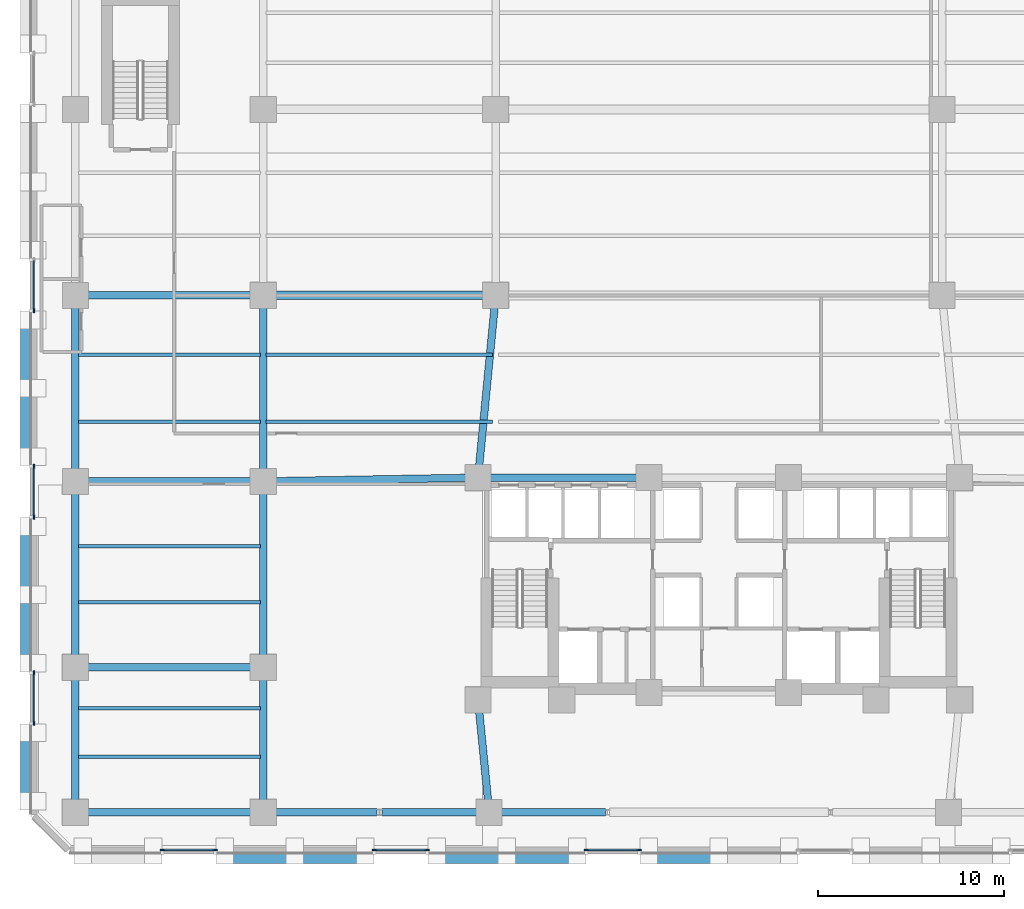
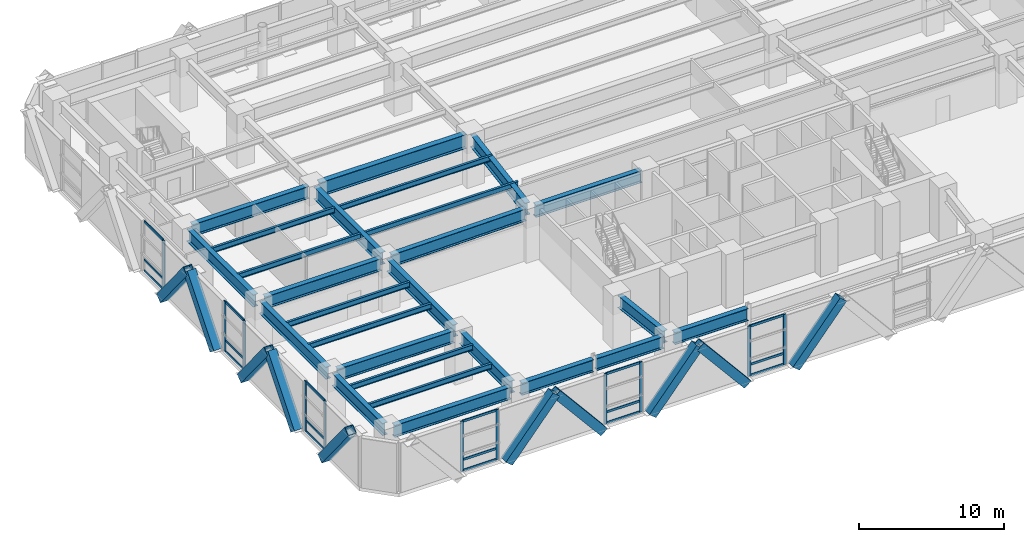
# One storey, part 6 of 26: 39 members, 26 beams, 6 elements without a shape of their own.
"""IFC4 building model written with IfcOpenShell, lengths in metres."""

from ifc_helpers import new_model, si_unit, direction, frame, origin, origin_2d, place, context, subcontext, project, spatial, rectangle, hollow_rectangle, i_section, extrude, material, material_profile, profile_set, type_object, element, aggregate, save


model = new_model("IFC4")

# Units and contexts
model_context = context("Model", 3, precision=1e-05, world=origin(), true_north=direction((0.0, 1.0)))
body_context = subcontext(model_context, "Body", "Model", "MODEL_VIEW")
ifc_project = project(units=[si_unit("LENGTHUNIT", "METRE"), si_unit("AREAUNIT", "SQUARE_METRE"), si_unit("VOLUMEUNIT", "CUBIC_METRE"), si_unit("PLANEANGLEUNIT", "RADIAN"), si_unit("MASSUNIT", "GRAM", prefix="KILO")], contexts=[model_context])

# Site, building, storey
site_placement = place(None, origin())
site = spatial("IfcSite", under=ifc_project, at=site_placement, CompositionType="ELEMENT")
building_placement = place(site_placement, origin())
building = spatial("IfcBuilding", under=site, at=building_placement, Name="Quenlor Broadcast Tower", CompositionType="ELEMENT")
storey_placement = place(building_placement, frame((0.0, 0.0, 14.0)))
storey = spatial("IfcBuildingStorey", under=building, at=storey_placement, Name="L03", CompositionType="ELEMENT", Elevation=14.0)

# Curtain wall, members
ifc_material_1 = material(Name="Architectural Terracotta and Low-E Glazing", Category="masonry")
curtain_wall_type = type_object("IfcCurtainWallType", Name="Station Concourse and Crown Terracotta Curtain Wall", PredefinedType="NOTDEFINED", material=ifc_material_1)
curtain_wall_1_placement = place(storey_placement, origin())
curtain_wall_1 = element("IfcCurtainWall", 1, at=curtain_wall_1_placement, inside=storey, type_object=curtain_wall_type, Name="L03 Curtain Wall CW6 (L03-S-FULL-G4)", PredefinedType="NOTDEFINED")
ifc_material_2 = material(Name="Aluminium 6063-T6", Category="aluminium")
ifc_material_profile_1 = material_profile(ifc_material_2, rectangle(XDim=0.08203125, YDim=0.239990234375, at=origin_2d()))
ifc_profile_set_1 = profile_set([ifc_material_profile_1], Name="Aluminium 6063-T6 MULL82x240")
member_type_1 = type_object("IfcMemberType", Name="CW6 Aluminium Mullion MULL_CW6", PredefinedType="MULLION", material=ifc_profile_set_1)
member_1_placement = place(storey_placement, frame((-4.29052734375, -24.820068359375, 0.0), z_axis=(0.0, 0.0, 1.0), x_axis=(0.0, -1.0, 0.0)))
member_1 = element("IfcMember", 2, at=member_1_placement, type_object=member_type_1, Name="CW6 mullion 1", PredefinedType="MULLION", context=body_context, shape_type="SweptSolid", body=[
    extrude(rectangle(XDim=0.08203125, YDim=0.239990234375, at=origin_2d()), origin(), (0.0, 0.0, 1.0), 4.199951171875),
])
member_2_placement = place(storey_placement, frame((-7.109619140625, -24.820068359375, 0.0), z_axis=(0.0, 0.0, 1.0), x_axis=(0.0, -1.0, 0.0)))
member_2 = element("IfcMember", 3, at=member_2_placement, type_object=member_type_1, Name="CW6 mullion 2", PredefinedType="MULLION", context=body_context, shape_type="SweptSolid", body=[
    extrude(rectangle(XDim=0.08203125, YDim=0.239990234375, at=origin_2d()), origin(), (0.0, 0.0, 1.0), 4.199951171875),
])

curtain_wall_2_placement = place(storey_placement, origin())
curtain_wall_2 = element("IfcCurtainWall", 4, at=curtain_wall_2_placement, inside=storey, type_object=curtain_wall_type, Name="L03 Curtain Wall CW6 (L03-S-FULL-G5)", PredefinedType="NOTDEFINED")
member_3_placement = place(storey_placement, frame((-15.6904296875, -24.820068359375, 0.0), z_axis=(0.0, 0.0, 1.0), x_axis=(0.0, -1.0, 0.0)))
member_3 = element("IfcMember", 5, at=member_3_placement, type_object=member_type_1, Name="CW6 mullion 1", PredefinedType="MULLION", context=body_context, shape_type="SweptSolid", body=[
    extrude(rectangle(XDim=0.08203125, YDim=0.239990234375, at=origin_2d()), origin(), (0.0, 0.0, 1.0), 4.199951171875),
])
member_4_placement = place(storey_placement, frame((-18.509521484375, -24.820068359375, 0.0), z_axis=(0.0, 0.0, 1.0), x_axis=(0.0, -1.0, 0.0)))
member_4 = element("IfcMember", 6, at=member_4_placement, type_object=member_type_1, Name="CW6 mullion 2", PredefinedType="MULLION", context=body_context, shape_type="SweptSolid", body=[
    extrude(rectangle(XDim=0.08203125, YDim=0.239990234375, at=origin_2d()), origin(), (0.0, 0.0, 1.0), 4.199951171875),
])

curtain_wall_3_placement = place(storey_placement, origin())
curtain_wall_3 = element("IfcCurtainWall", 7, at=curtain_wall_3_placement, inside=storey, type_object=curtain_wall_type, Name="L03 Curtain Wall CW6 (L03-S-FULL-G6)", PredefinedType="NOTDEFINED")
member_5_placement = place(storey_placement, frame((-27.090576171875, -24.820068359375, 0.0), z_axis=(0.0, 0.0, 1.0), x_axis=(0.0, -1.0, 0.0)))
member_5 = element("IfcMember", 8, at=member_5_placement, type_object=member_type_1, Name="CW6 mullion 1", PredefinedType="MULLION", context=body_context, shape_type="SweptSolid", body=[
    extrude(rectangle(XDim=0.08203125, YDim=0.239990234375, at=origin_2d()), origin(), (0.0, 0.0, 1.0), 4.199951171875),
])
member_6_placement = place(storey_placement, frame((-29.909423828125, -24.820068359375, 0.0), z_axis=(0.0, 0.0, 1.0), x_axis=(0.0, -1.0, 0.0)))
member_6 = element("IfcMember", 9, at=member_6_placement, type_object=member_type_1, Name="CW6 mullion 2", PredefinedType="MULLION", context=body_context, shape_type="SweptSolid", body=[
    extrude(rectangle(XDim=0.08203125, YDim=0.239990234375, at=origin_2d()), origin(), (0.0, 0.0, 1.0), 4.199951171875),
])

curtain_wall_4_placement = place(storey_placement, origin())
curtain_wall_4 = element("IfcCurtainWall", 10, at=curtain_wall_4_placement, inside=storey, type_object=curtain_wall_type, Name="L03 Curtain Wall CW6 (L03-W-FULL-G1)", PredefinedType="NOTDEFINED")
member_7_placement = place(storey_placement, frame((-36.820068359375, -18.00634765625, 0.0), z_axis=(0.0, 0.0, 1.0), x_axis=(-1.0, 0.0, 0.0)))
member_7 = element("IfcMember", 11, at=member_7_placement, type_object=member_type_1, Name="CW6 mullion 1", PredefinedType="MULLION", context=body_context, shape_type="SweptSolid", body=[
    extrude(rectangle(XDim=0.08203125, YDim=0.239990234375, at=origin_2d()), origin(), (0.0, 0.0, 1.0), 4.199951171875),
])
member_8_placement = place(storey_placement, frame((-36.820068359375, -15.293701171875, 0.0), z_axis=(0.0, 0.0, 1.0), x_axis=(-1.0, 0.0, 0.0)))
member_8 = element("IfcMember", 12, at=member_8_placement, type_object=member_type_1, Name="CW6 mullion 2", PredefinedType="MULLION", context=body_context, shape_type="SweptSolid", body=[
    extrude(rectangle(XDim=0.08203125, YDim=0.239990234375, at=origin_2d()), origin(), (0.0, 0.0, 1.0), 4.199951171875),
])

curtain_wall_5_placement = place(storey_placement, origin())
curtain_wall_5 = element("IfcCurtainWall", 13, at=curtain_wall_5_placement, inside=storey, type_object=curtain_wall_type, Name="L03 Curtain Wall CW6 (L03-W-FULL-G2)", PredefinedType="NOTDEFINED")
member_9_placement = place(storey_placement, frame((-36.820068359375, -6.90625, 0.0), z_axis=(0.0, 0.0, 1.0), x_axis=(-1.0, 0.0, 0.0)))
member_9 = element("IfcMember", 14, at=member_9_placement, type_object=member_type_1, Name="CW6 mullion 1", PredefinedType="MULLION", context=body_context, shape_type="SweptSolid", body=[
    extrude(rectangle(XDim=0.08203125, YDim=0.239990234375, at=origin_2d()), origin(), (0.0, 0.0, 1.0), 4.199951171875),
])
member_10_placement = place(storey_placement, frame((-36.820068359375, -4.193603515625, 0.0), z_axis=(0.0, 0.0, 1.0), x_axis=(-1.0, 0.0, 0.0)))
member_10 = element("IfcMember", 15, at=member_10_placement, type_object=member_type_1, Name="CW6 mullion 2", PredefinedType="MULLION", context=body_context, shape_type="SweptSolid", body=[
    extrude(rectangle(XDim=0.08203125, YDim=0.239990234375, at=origin_2d()), origin(), (0.0, 0.0, 1.0), 4.199951171875),
])

# Curtain wall, member
curtain_wall_6_placement = place(storey_placement, origin())
curtain_wall_6 = element("IfcCurtainWall", 16, at=curtain_wall_6_placement, inside=storey, type_object=curtain_wall_type, Name="L03 Curtain Wall CW6 (L03-W-FULL-G3)", PredefinedType="NOTDEFINED")
member_11_placement = place(storey_placement, frame((-36.820068359375, 4.193603515625, 0.0), z_axis=(0.0, 0.0, 1.0), x_axis=(-1.0, 0.0, 0.0)))
member_11 = element("IfcMember", 17, at=member_11_placement, type_object=member_type_1, Name="CW6 mullion 1", PredefinedType="MULLION", context=body_context, shape_type="SweptSolid", body=[
    extrude(rectangle(XDim=0.08203125, YDim=0.239990234375, at=origin_2d()), origin(), (0.0, 0.0, 1.0), 4.199951171875),
])

# Member
ifc_material_3 = material(Name="Aluminium 6063-T6", Category="aluminium")
ifc_material_profile_2 = material_profile(ifc_material_3, rectangle(XDim=0.08203125, YDim=0.195068359375, at=origin_2d()))
ifc_profile_set_2 = profile_set([ifc_material_profile_2], Name="Aluminium 6063-T6 TRAN82x195")
member_type_2 = type_object("IfcMemberType", Name="CW6 Aluminium Transom TRAN_CW6", PredefinedType="USERDEFINED", material=ifc_profile_set_2)
member_12_placement = place(storey_placement, frame((-4.33154296875, -24.820068359375, 0.041015625), z_axis=(-1.0, 0.0, 0.0), x_axis=(0.0, -1.0, 0.0)))
member_12 = element("IfcMember", 18, at=member_12_placement, type_object=member_type_2, Name="CW6 transom 1.1", ObjectType="TRANSOM", PredefinedType="USERDEFINED", context=body_context, shape_type="SweptSolid", body=[
    extrude(rectangle(XDim=0.08203125, YDim=0.195068359375, at=origin_2d()), origin(), (0.0, 0.0, 1.0), 2.737060546875),
])

member_13_placement = place(storey_placement, frame((-4.33154296875, -24.820068359375, 0.949951171875), z_axis=(-1.0, 0.0, 0.0), x_axis=(0.0, -1.0, 0.0)))
member_13 = element("IfcMember", 19, at=member_13_placement, type_object=member_type_2, Name="CW6 transom 1.2", ObjectType="TRANSOM", PredefinedType="USERDEFINED", context=body_context, shape_type="SweptSolid", body=[
    extrude(rectangle(XDim=0.08203125, YDim=0.195068359375, at=origin_2d()), origin(), (0.0, 0.0, 1.0), 2.737060546875),
])

member_14_placement = place(storey_placement, frame((-4.33154296875, -24.820068359375, 4.158935546875), z_axis=(-1.0, 0.0, 0.0), x_axis=(0.0, -1.0, 0.0)))
member_14 = element("IfcMember", 20, at=member_14_placement, type_object=member_type_2, Name="CW6 transom 1.3", ObjectType="TRANSOM", PredefinedType="USERDEFINED", context=body_context, shape_type="SweptSolid", body=[
    extrude(rectangle(XDim=0.08203125, YDim=0.195068359375, at=origin_2d()), origin(), (0.0, 0.0, 1.0), 2.737060546875),
])

aggregate(curtain_wall_1, [member_1, member_2, member_12, member_13, member_14])

member_15_placement = place(storey_placement, frame((-15.7314453125, -24.820068359375, 0.041015625), z_axis=(-1.0, 0.0, 0.0), x_axis=(0.0, -1.0, 0.0)))
member_15 = element("IfcMember", 21, at=member_15_placement, type_object=member_type_2, Name="CW6 transom 1.1", ObjectType="TRANSOM", PredefinedType="USERDEFINED", context=body_context, shape_type="SweptSolid", body=[
    extrude(rectangle(XDim=0.08203125, YDim=0.195068359375, at=origin_2d()), origin(), (0.0, 0.0, 1.0), 2.737060546875),
])

member_16_placement = place(storey_placement, frame((-15.7314453125, -24.820068359375, 0.949951171875), z_axis=(-1.0, 0.0, 0.0), x_axis=(0.0, -1.0, 0.0)))
member_16 = element("IfcMember", 22, at=member_16_placement, type_object=member_type_2, Name="CW6 transom 1.2", ObjectType="TRANSOM", PredefinedType="USERDEFINED", context=body_context, shape_type="SweptSolid", body=[
    extrude(rectangle(XDim=0.08203125, YDim=0.195068359375, at=origin_2d()), origin(), (0.0, 0.0, 1.0), 2.737060546875),
])

member_17_placement = place(storey_placement, frame((-15.7314453125, -24.820068359375, 4.158935546875), z_axis=(-1.0, 0.0, 0.0), x_axis=(0.0, -1.0, 0.0)))
member_17 = element("IfcMember", 23, at=member_17_placement, type_object=member_type_2, Name="CW6 transom 1.3", ObjectType="TRANSOM", PredefinedType="USERDEFINED", context=body_context, shape_type="SweptSolid", body=[
    extrude(rectangle(XDim=0.08203125, YDim=0.195068359375, at=origin_2d()), origin(), (0.0, 0.0, 1.0), 2.737060546875),
])

aggregate(curtain_wall_2, [member_3, member_4, member_15, member_16, member_17])

member_18_placement = place(storey_placement, frame((-27.131591796875, -24.820068359375, 0.041015625), z_axis=(-1.0, 0.0, 0.0), x_axis=(0.0, -1.0, 0.0)))
member_18 = element("IfcMember", 24, at=member_18_placement, type_object=member_type_2, Name="CW6 transom 1.1", ObjectType="TRANSOM", PredefinedType="USERDEFINED", context=body_context, shape_type="SweptSolid", body=[
    extrude(rectangle(XDim=0.08203125, YDim=0.195068359375, at=origin_2d()), origin(), (0.0, 0.0, 1.0), 2.73681640625),
])

member_19_placement = place(storey_placement, frame((-27.131591796875, -24.820068359375, 0.949951171875), z_axis=(-1.0, 0.0, 0.0), x_axis=(0.0, -1.0, 0.0)))
member_19 = element("IfcMember", 25, at=member_19_placement, type_object=member_type_2, Name="CW6 transom 1.2", ObjectType="TRANSOM", PredefinedType="USERDEFINED", context=body_context, shape_type="SweptSolid", body=[
    extrude(rectangle(XDim=0.08203125, YDim=0.195068359375, at=origin_2d()), origin(), (0.0, 0.0, 1.0), 2.73681640625),
])

member_20_placement = place(storey_placement, frame((-27.131591796875, -24.820068359375, 4.158935546875), z_axis=(-1.0, 0.0, 0.0), x_axis=(0.0, -1.0, 0.0)))
member_20 = element("IfcMember", 26, at=member_20_placement, type_object=member_type_2, Name="CW6 transom 1.3", ObjectType="TRANSOM", PredefinedType="USERDEFINED", context=body_context, shape_type="SweptSolid", body=[
    extrude(rectangle(XDim=0.08203125, YDim=0.195068359375, at=origin_2d()), origin(), (0.0, 0.0, 1.0), 2.73681640625),
])

aggregate(curtain_wall_3, [member_5, member_6, member_18, member_19, member_20])

member_21_placement = place(storey_placement, frame((-36.820068359375, -17.96533203125, 0.041015625), z_axis=(0.0, 1.0, 0.0), x_axis=(-1.0, 0.0, 0.0)))
member_21 = element("IfcMember", 27, at=member_21_placement, type_object=member_type_2, Name="CW6 transom 1.1", ObjectType="TRANSOM", PredefinedType="USERDEFINED", context=body_context, shape_type="SweptSolid", body=[
    extrude(rectangle(XDim=0.08203125, YDim=0.195068359375, at=origin_2d()), origin(), (0.0, 0.0, 1.0), 2.630615234375),
])

member_22_placement = place(storey_placement, frame((-36.820068359375, -17.96533203125, 0.949951171875), z_axis=(0.0, 1.0, 0.0), x_axis=(-1.0, 0.0, 0.0)))
member_22 = element("IfcMember", 28, at=member_22_placement, type_object=member_type_2, Name="CW6 transom 1.2", ObjectType="TRANSOM", PredefinedType="USERDEFINED", context=body_context, shape_type="SweptSolid", body=[
    extrude(rectangle(XDim=0.08203125, YDim=0.195068359375, at=origin_2d()), origin(), (0.0, 0.0, 1.0), 2.630615234375),
])

member_23_placement = place(storey_placement, frame((-36.820068359375, -17.96533203125, 4.158935546875), z_axis=(0.0, 1.0, 0.0), x_axis=(-1.0, 0.0, 0.0)))
member_23 = element("IfcMember", 29, at=member_23_placement, type_object=member_type_2, Name="CW6 transom 1.3", ObjectType="TRANSOM", PredefinedType="USERDEFINED", context=body_context, shape_type="SweptSolid", body=[
    extrude(rectangle(XDim=0.08203125, YDim=0.195068359375, at=origin_2d()), origin(), (0.0, 0.0, 1.0), 2.630615234375),
])

aggregate(curtain_wall_4, [member_7, member_8, member_21, member_22, member_23])

member_24_placement = place(storey_placement, frame((-36.820068359375, -6.865234375, 0.041015625), z_axis=(0.0, 1.0, 0.0), x_axis=(-1.0, 0.0, 0.0)))
member_24 = element("IfcMember", 30, at=member_24_placement, type_object=member_type_2, Name="CW6 transom 1.1", ObjectType="TRANSOM", PredefinedType="USERDEFINED", context=body_context, shape_type="SweptSolid", body=[
    extrude(rectangle(XDim=0.08203125, YDim=0.195068359375, at=origin_2d()), origin(), (0.0, 0.0, 1.0), 2.630615234375),
])

member_25_placement = place(storey_placement, frame((-36.820068359375, -6.865234375, 0.949951171875), z_axis=(0.0, 1.0, 0.0), x_axis=(-1.0, 0.0, 0.0)))
member_25 = element("IfcMember", 31, at=member_25_placement, type_object=member_type_2, Name="CW6 transom 1.2", ObjectType="TRANSOM", PredefinedType="USERDEFINED", context=body_context, shape_type="SweptSolid", body=[
    extrude(rectangle(XDim=0.08203125, YDim=0.195068359375, at=origin_2d()), origin(), (0.0, 0.0, 1.0), 2.630615234375),
])

member_26_placement = place(storey_placement, frame((-36.820068359375, -6.865234375, 4.158935546875), z_axis=(0.0, 1.0, 0.0), x_axis=(-1.0, 0.0, 0.0)))
member_26 = element("IfcMember", 32, at=member_26_placement, type_object=member_type_2, Name="CW6 transom 1.3", ObjectType="TRANSOM", PredefinedType="USERDEFINED", context=body_context, shape_type="SweptSolid", body=[
    extrude(rectangle(XDim=0.08203125, YDim=0.195068359375, at=origin_2d()), origin(), (0.0, 0.0, 1.0), 2.630615234375),
])

aggregate(curtain_wall_5, [member_9, member_10, member_24, member_25, member_26])

member_27_placement = place(storey_placement, frame((-36.820068359375, 4.234619140625, 0.041015625), z_axis=(0.0, 1.0, 0.0), x_axis=(-1.0, 0.0, 0.0)))
member_27 = element("IfcMember", 33, at=member_27_placement, type_object=member_type_2, Name="CW6 transom 1.1", ObjectType="TRANSOM", PredefinedType="USERDEFINED", context=body_context, shape_type="SweptSolid", body=[
    extrude(rectangle(XDim=0.08203125, YDim=0.195068359375, at=origin_2d()), origin(), (0.0, 0.0, 1.0), 2.630615234375),
])

member_28_placement = place(storey_placement, frame((-36.820068359375, 4.234619140625, 0.949951171875), z_axis=(0.0, 1.0, 0.0), x_axis=(-1.0, 0.0, 0.0)))
member_28 = element("IfcMember", 34, at=member_28_placement, type_object=member_type_2, Name="CW6 transom 1.2", ObjectType="TRANSOM", PredefinedType="USERDEFINED", context=body_context, shape_type="SweptSolid", body=[
    extrude(rectangle(XDim=0.08203125, YDim=0.195068359375, at=origin_2d()), origin(), (0.0, 0.0, 1.0), 2.630615234375),
])

member_29_placement = place(storey_placement, frame((-36.820068359375, 4.234619140625, 4.158935546875), z_axis=(0.0, 1.0, 0.0), x_axis=(-1.0, 0.0, 0.0)))
member_29 = element("IfcMember", 35, at=member_29_placement, type_object=member_type_2, Name="CW6 transom 1.3", ObjectType="TRANSOM", PredefinedType="USERDEFINED", context=body_context, shape_type="SweptSolid", body=[
    extrude(rectangle(XDim=0.08203125, YDim=0.195068359375, at=origin_2d()), origin(), (0.0, 0.0, 1.0), 2.630615234375),
])

aggregate(curtain_wall_6, [member_11, member_27, member_28, member_29])

# Members
ifc_material_4 = material(Name="Steel S355", Category="steel")
ifc_material_profile_3 = material_profile(ifc_material_4, hollow_rectangle(XDim=0.679931640625, YDim=0.679931640625, WallThickness=0.034912109375, at=origin_2d()))
ifc_profile_set_3 = profile_set([ifc_material_profile_3], Name="Steel S355 RHS680x680x35")
member_type_3 = type_object("IfcMemberType", Name="Perimeter Diagonal Lattice Brace Z1 Steel S355 RHS680x35", PredefinedType="BRACE", material=ifc_profile_set_3)
for number, where, z_axis, x_axis, name in (
    (36, (-7.622802734375, -25.215087890625, -0.1201171875), (-0.640626831312, 0.0, 0.767852370578), (0.0, -1.0, 0.0), "L03 Podium Diamond Lattice S-P4S"),
    (37, (-3.777099609375, -25.215087890625, -0.1201171875), (0.640626831312, 0.0, 0.767852370578), (0.0, 1.0, 0.0), "L03 Podium Diamond Lattice S-P4B"),
    (38, (-19.022705078125, -25.215087890625, -0.1201171875), (-0.640626831312, 0.0, 0.767852370578), (0.0, -1.0, 0.0), "L03 Podium Diamond Lattice S-P5S"),
    (39, (-15.17724609375, -25.215087890625, -0.1201171875), (0.640626831312, 0.0, 0.767852370578), (0.0, 1.0, 0.0), "L03 Podium Diamond Lattice S-P5B"),
    (40, (-26.5771484375, -25.215087890625, -0.1201171875), (0.640626831312, 0.0, 0.767852370578), (0.0, 1.0, 0.0), "L03 Podium Diamond Lattice S-P6B"),
):
    element("IfcMember", number, at=place(storey_placement, frame(where, z_axis=z_axis, x_axis=x_axis)), inside=storey, type_object=member_type_3, Name=name, PredefinedType="BRACE", context=body_context, shape_type="SweptSolid", body=[
        extrude(hollow_rectangle(XDim=0.679931640625, YDim=0.679931640625, WallThickness=0.034912109375, at=origin_2d()), origin(), (0.0, 0.0, 1.0), 5.860595703125),
    ])
for number, where, z_axis, x_axis, name in (
    (41, (-37.215087890625, -14.77783203125, -0.1201171875), (0.0, 0.630516526394, 0.776175824117), (-1.0, 0.0, 0.0), "L03 Podium Diamond Lattice W-P1S"),
    (42, (-37.215087890625, -18.522216796875, -0.1201171875), (0.0, -0.630516526394, 0.776175824117), (1.0, 0.0, 0.0), "L03 Podium Diamond Lattice W-P1B"),
    (43, (-37.215087890625, -3.677734375, -0.1201171875), (0.0, 0.630516526394, 0.776175824117), (-1.0, 0.0, 0.0), "L03 Podium Diamond Lattice W-P2S"),
):
    element("IfcMember", number, at=place(storey_placement, frame(where, z_axis=z_axis, x_axis=x_axis)), inside=storey, type_object=member_type_3, Name=name, PredefinedType="BRACE", context=body_context, shape_type="SweptSolid", body=[
        extrude(hollow_rectangle(XDim=0.679931640625, YDim=0.679931640625, WallThickness=0.034912109375, at=origin_2d()), origin(), (0.0, 0.0, 1.0), 5.797607421875),
    ])
member_30_placement = place(storey_placement, frame((-37.215087890625, -7.422119140625, -0.1201171875), z_axis=(0.0, -0.630541894648, 0.776155215851), x_axis=(1.0, 0.0, 0.0)))
element("IfcMember", 44, at=member_30_placement, inside=storey, type_object=member_type_3, Name="L03 Podium Diamond Lattice W-P2B", PredefinedType="BRACE", context=body_context, shape_type="SweptSolid", body=[
    extrude(hollow_rectangle(XDim=0.679931640625, YDim=0.679931640625, WallThickness=0.034912109375, at=origin_2d()), origin(), (0.0, 0.0, 1.0), 5.7978515625),
])
member_31_placement = place(storey_placement, frame((-37.215087890625, 3.677734375, -0.1201171875), z_axis=(0.0, -0.630516526394, 0.776175824117), x_axis=(1.0, 0.0, 0.0)))
element("IfcMember", 45, at=member_31_placement, inside=storey, type_object=member_type_3, Name="L03 Podium Diamond Lattice W-P3B", PredefinedType="BRACE", context=body_context, shape_type="SweptSolid", body=[
    extrude(hollow_rectangle(XDim=0.679931640625, YDim=0.679931640625, WallThickness=0.034912109375, at=origin_2d()), origin(), (0.0, 0.0, 1.0), 5.797607421875),
])

# Beams
ifc_material_5 = material(Name="Steel S355", Category="steel")
ifc_material_profile_4 = material_profile(ifc_material_5, i_section(OverallWidth=0.39990234375, OverallDepth=1.02392578125, WebThickness=0.01611328125, FlangeThickness=0.031982421875, FilletRadius=0.01611328125, at=origin_2d()))
ifc_profile_set_4 = profile_set([ifc_material_profile_4], Name="Steel S355 1000WB322")
beam_type_1 = type_object("IfcBeamType", Name="Podium Concourse Girder Steel S355 1000WB322", PredefinedType="BEAM", material=ifc_profile_set_4)
beam_1_placement = place(storey_placement, frame((-34.179931640625, -22.800048828125, 3.68798828125), z_axis=(1.0, 0.0, 0.0), x_axis=(0.0, 1.0, 0.0)))
element("IfcBeam", 46, at=beam_1_placement, inside=storey, type_object=beam_type_1, Name="L03 Podium Girder 1", PredefinedType="BEAM", context=body_context, shape_type="SweptSolid", body=[
    extrude(i_section(OverallWidth=0.39990234375, OverallDepth=1.02392578125, WebThickness=0.01611328125, FlangeThickness=0.031982421875, FilletRadius=0.01611328125, at=origin_2d()), origin(), (0.0, 0.0, 1.0), 9.260009765625),
])
beam_2_placement = place(storey_placement, frame((-24.080078125, -22.800048828125, 3.68798828125), z_axis=(1.0, 0.0, 0.0), x_axis=(0.0, 1.0, 0.0)))
element("IfcBeam", 47, at=beam_2_placement, inside=storey, type_object=beam_type_1, Name="L03 Podium Girder 2", PredefinedType="BEAM", context=body_context, shape_type="SweptSolid", body=[
    extrude(i_section(OverallWidth=0.39990234375, OverallDepth=1.02392578125, WebThickness=0.01611328125, FlangeThickness=0.031982421875, FilletRadius=0.01611328125, at=origin_2d()), origin(), (0.0, 0.0, 1.0), 5.694580078125),
])
beam_3_placement = place(storey_placement, frame((-18.114501953125, -22.800048828125, 3.68798828125), z_axis=(1.0, 0.0, 0.0), x_axis=(0.0, 1.0, 0.0)))
element("IfcBeam", 48, at=beam_3_placement, inside=storey, type_object=beam_type_1, Name="L03 Podium Girder 3", PredefinedType="BEAM", context=body_context, shape_type="SweptSolid", body=[
    extrude(i_section(OverallWidth=0.39990234375, OverallDepth=1.02392578125, WebThickness=0.01611328125, FlangeThickness=0.031982421875, FilletRadius=0.01611328125, at=origin_2d()), origin(), (0.0, 0.0, 1.0), 5.344482421875),
])
beam_4_placement = place(storey_placement, frame((-11.929931640625, -22.800048828125, 3.68798828125), z_axis=(1.0, 0.0, 0.0), x_axis=(0.0, 1.0, 0.0)))
element("IfcBeam", 49, at=beam_4_placement, inside=storey, type_object=beam_type_1, Name="L03 Podium Girder 4", PredefinedType="BEAM", context=body_context, shape_type="SweptSolid", body=[
    extrude(i_section(OverallWidth=0.39990234375, OverallDepth=1.02392578125, WebThickness=0.01611328125, FlangeThickness=0.031982421875, FilletRadius=0.01611328125, at=origin_2d()), origin(), (0.0, 0.0, 1.0), 5.822021484375),
])
for number, where, z_axis, x_axis, name in (
    (50, (-34.179931640625, -15.0, 3.68798828125), (1.0, 0.0, 0.0), (0.0, 1.0, 0.0), "L03 Podium Girder 10"),
    (51, (-34.179931640625, -5.0, 3.68798828125), (1.0, 0.0, 0.0), (0.0, 1.0, 0.0), "L03 Podium Girder 12"),
    (52, (-34.179931640625, 5.0, 3.68798828125), (1.0, 0.0, 0.0), (0.0, 1.0, 0.0), "L03 Podium Girder 14"),
):
    element("IfcBeam", number, at=place(storey_placement, frame(where, z_axis=z_axis, x_axis=x_axis)), inside=storey, type_object=beam_type_1, Name=name, PredefinedType="BEAM", context=body_context, shape_type="SweptSolid", body=[
        extrude(i_section(OverallWidth=0.39990234375, OverallDepth=1.02392578125, WebThickness=0.01611328125, FlangeThickness=0.031982421875, FilletRadius=0.01611328125, at=origin_2d()), origin(), (0.0, 0.0, 1.0), 9.260009765625),
    ])
beam_5_placement = place(storey_placement, frame((-34.60009765625, -22.3798828125, 3.68798828125), z_axis=(0.0, 1.0, 0.0), x_axis=(-1.0, 0.0, 0.0)))
element("IfcBeam", 53, at=beam_5_placement, inside=storey, type_object=beam_type_1, Name="L03 Podium Girder 34", PredefinedType="BEAM", context=body_context, shape_type="SweptSolid", body=[
    extrude(i_section(OverallWidth=0.39990234375, OverallDepth=1.02392578125, WebThickness=0.01611328125, FlangeThickness=0.031982421875, FilletRadius=0.01611328125, at=origin_2d()), origin(), (0.0, 0.0, 1.0), 6.9599609375),
])
for number, where, z_axis, x_axis, name in (
    (54, (-34.60009765625, -14.580078125, 3.68798828125), (0.0, 1.0, 0.0), (-1.0, 0.0, 0.0), "L03 Podium Girder 35"),
    (55, (-34.60009765625, -4.580078125, 3.68798828125), (0.0, 1.0, 0.0), (-1.0, 0.0, 0.0), "L03 Podium Girder 36"),
):
    element("IfcBeam", number, at=place(storey_placement, frame(where, z_axis=z_axis, x_axis=x_axis)), inside=storey, type_object=beam_type_1, Name=name, PredefinedType="BEAM", context=body_context, shape_type="SweptSolid", body=[
        extrude(i_section(OverallWidth=0.39990234375, OverallDepth=1.02392578125, WebThickness=0.01611328125, FlangeThickness=0.031982421875, FilletRadius=0.01611328125, at=origin_2d()), origin(), (0.0, 0.0, 1.0), 9.16015625),
    ])
beam_6_placement = place(storey_placement, frame((-24.5, -22.3798828125, 3.68798828125), z_axis=(0.0, 1.0, 0.0), x_axis=(-1.0, 0.0, 0.0)))
element("IfcBeam", 56, at=beam_6_placement, inside=storey, type_object=beam_type_1, Name="L03 Podium Girder 39", PredefinedType="BEAM", context=body_context, shape_type="SweptSolid", body=[
    extrude(i_section(OverallWidth=0.39990234375, OverallDepth=1.02392578125, WebThickness=0.01611328125, FlangeThickness=0.031982421875, FilletRadius=0.01611328125, at=origin_2d()), origin(), (0.0, 0.0, 1.0), 6.9599609375),
])
for number, where, z_axis, x_axis, name in (
    (57, (-24.5, -14.580078125, 3.68798828125), (0.0, 1.0, 0.0), (-1.0, 0.0, 0.0), "L03 Podium Girder 40"),
    (58, (-24.5, -4.580078125, 3.68798828125), (0.0, 1.0, 0.0), (-1.0, 0.0, 0.0), "L03 Podium Girder 41"),
):
    element("IfcBeam", number, at=place(storey_placement, frame(where, z_axis=z_axis, x_axis=x_axis)), inside=storey, type_object=beam_type_1, Name=name, PredefinedType="BEAM", context=body_context, shape_type="SweptSolid", body=[
        extrude(i_section(OverallWidth=0.39990234375, OverallDepth=1.02392578125, WebThickness=0.01611328125, FlangeThickness=0.031982421875, FilletRadius=0.01611328125, at=origin_2d()), origin(), (0.0, 0.0, 1.0), 9.16015625),
    ])
beam_7_placement = place(storey_placement, frame((-12.913330078125, -4.421875, 3.68798828125), z_axis=(0.096489068192, 0.995334044288, 0.0), x_axis=(-0.995334044288, 0.096489068192, 0.0)))
element("IfcBeam", 59, at=beam_7_placement, inside=storey, type_object=beam_type_1, Name="L03 Podium Concourse Girder 1", PredefinedType="BEAM", context=body_context, shape_type="SweptSolid", body=[
    extrude(i_section(OverallWidth=0.39990234375, OverallDepth=1.02392578125, WebThickness=0.01611328125, FlangeThickness=0.031982421875, FilletRadius=0.01611328125, at=origin_2d()), origin(), (0.0, 0.0, 1.0), 9.086181640625),
])
beam_8_placement = place(storey_placement, frame((-12.91259765625, -17.128173828125, 3.68798828125), z_axis=(0.098717586069, -0.995115489881, 0.0), x_axis=(0.995115489881, 0.098717586069, 0.0)))
element("IfcBeam", 60, at=beam_8_placement, inside=storey, type_object=beam_type_1, Name="L03 Podium Concourse Girder 3", PredefinedType="BEAM", context=body_context, shape_type="SweptSolid", body=[
    extrude(i_section(OverallWidth=0.39990234375, OverallDepth=1.02392578125, WebThickness=0.01611328125, FlangeThickness=0.031982421875, FilletRadius=0.01611328125, at=origin_2d()), origin(), (0.0, 0.0, 1.0), 5.319580078125),
])
beam_9_placement = place(storey_placement, frame((-13.329833984375, -4.806640625, 3.68798828125), z_axis=(-0.999850235211, -0.017306274859, 0.0), x_axis=(0.017306274859, -0.999850235211, 0.0)))
element("IfcBeam", 61, at=beam_9_placement, inside=storey, type_object=beam_type_1, Name="L03 Podium Concourse Girder 5", PredefinedType="BEAM", context=body_context, shape_type="SweptSolid", body=[
    extrude(i_section(OverallWidth=0.39990234375, OverallDepth=1.02392578125, WebThickness=0.01611328125, FlangeThickness=0.031982421875, FilletRadius=0.01611328125, at=origin_2d()), origin(), (0.0, 0.0, 1.0), 10.7919921875),
])
beam_10_placement = place(storey_placement, frame((-12.570068359375, -4.800048828125, 3.68798828125), z_axis=(1.0, 0.0, 0.0), x_axis=(0.0, 1.0, 0.0)))
element("IfcBeam", 62, at=beam_10_placement, inside=storey, type_object=beam_type_1, Name="L03 Podium Concourse Girder 9", PredefinedType="BEAM", context=body_context, shape_type="SweptSolid", body=[
    extrude(i_section(OverallWidth=0.39990234375, OverallDepth=1.02392578125, WebThickness=0.01611328125, FlangeThickness=0.031982421875, FilletRadius=0.01611328125, at=origin_2d()), origin(), (0.0, 0.0, 1.0), 8.440185546875),
])
ifc_material_6 = material(Name="Steel S355", Category="steel")
ifc_material_profile_5 = material_profile(ifc_material_6, i_section(OverallWidth=0.18994140625, OverallDepth=0.453857421875, WebThickness=0.008544921875, FlangeThickness=0.0126953125, FilletRadius=0.011474609375, at=origin_2d()))
ifc_profile_set_5 = profile_set([ifc_material_profile_5], Name="Steel S355 460UB67.1")
beam_type_2 = type_object("IfcBeamType", Name="Podium Floor Joist Steel S355 460UB67.1", PredefinedType="JOIST", material=ifc_profile_set_5)
for number, where, z_axis, x_axis, name in (
    (63, (-34.43994140625, -19.800048828125, 3.97314453125), (1.0, 0.0, 0.0), (0.0, 1.0, 0.0), "L03 Podium Floor Joist 21"),
    (64, (-34.43994140625, -17.199951171875, 3.97314453125), (1.0, 0.0, 0.0), (0.0, 1.0, 0.0), "L03 Podium Floor Joist 23"),
    (65, (-34.43994140625, -11.5, 3.97314453125), (1.0, 0.0, 0.0), (0.0, 1.0, 0.0), "L03 Podium Floor Joist 25"),
    (66, (-34.43994140625, -8.5, 3.97314453125), (1.0, 0.0, 0.0), (0.0, 1.0, 0.0), "L03 Podium Floor Joist 27"),
    (67, (-34.43994140625, -1.800048828125, 3.97314453125), (1.0, 0.0, 0.0), (0.0, 1.0, 0.0), "L03 Podium Floor Joist 29"),
    (68, (-34.43994140625, 1.800048828125, 3.97314453125), (1.0, 0.0, 0.0), (0.0, 1.0, 0.0), "L03 Podium Floor Joist 31"),
):
    element("IfcBeam", number, at=place(storey_placement, frame(where, z_axis=z_axis, x_axis=x_axis)), inside=storey, type_object=beam_type_2, Name=name, PredefinedType="JOIST", context=body_context, shape_type="SweptSolid", body=[
        extrude(i_section(OverallWidth=0.18994140625, OverallDepth=0.453857421875, WebThickness=0.008544921875, FlangeThickness=0.0126953125, FilletRadius=0.011474609375, at=origin_2d()), origin(), (0.0, 0.0, 1.0), 9.780029296875),
    ])
for number, where, z_axis, x_axis, name in (
    (69, (-24.340087890625, -1.800048828125, 3.97314453125), (1.0, 0.0, 0.0), (0.0, 1.0, 0.0), "L03 Podium Floor Joist 33"),
    (70, (-24.340087890625, 1.800048828125, 3.97314453125), (1.0, 0.0, 0.0), (0.0, 1.0, 0.0), "L03 Podium Floor Joist 36"),
):
    element("IfcBeam", number, at=place(storey_placement, frame(where, z_axis=z_axis, x_axis=x_axis)), inside=storey, type_object=beam_type_2, Name=name, PredefinedType="JOIST", context=body_context, shape_type="SweptSolid", body=[
        extrude(i_section(OverallWidth=0.18994140625, OverallDepth=0.453857421875, WebThickness=0.008544921875, FlangeThickness=0.0126953125, FilletRadius=0.011474609375, at=origin_2d()), origin(), (0.0, 0.0, 1.0), 12.18017578125),
    ])
ifc_material_7 = material(Name="Steel S355", Category="steel")
ifc_material_profile_6 = material_profile(ifc_material_7, i_section(OverallWidth=0.449951171875, OverallDepth=1.18798828125, WebThickness=0.01806640625, FlangeThickness=0.031982421875, FilletRadius=0.01611328125, at=origin_2d()))
ifc_profile_set_6 = profile_set([ifc_material_profile_6], Name="Steel S355 1200WB392")
beam_type_3 = type_object("IfcBeamType", Name="Podium Secondary Studio Girder Steel S355 1200WB392", PredefinedType="BEAM", material=ifc_profile_set_6)
beam_11_placement = place(storey_placement, frame((-24.080078125, 5.0, 3.60595703125), z_axis=(1.0, 0.0, 0.0), x_axis=(0.0, 1.0, 0.0)))
element("IfcBeam", 71, at=beam_11_placement, inside=storey, type_object=beam_type_3, Name="L03 Podium Girder 15", PredefinedType="BEAM", context=body_context, shape_type="SweptSolid", body=[
    extrude(i_section(OverallWidth=0.449951171875, OverallDepth=1.18798828125, WebThickness=0.01806640625, FlangeThickness=0.031982421875, FilletRadius=0.01611328125, at=origin_2d()), origin(), (0.0, 0.0, 1.0), 11.66015625),
])

save(model, "model.ifc")
